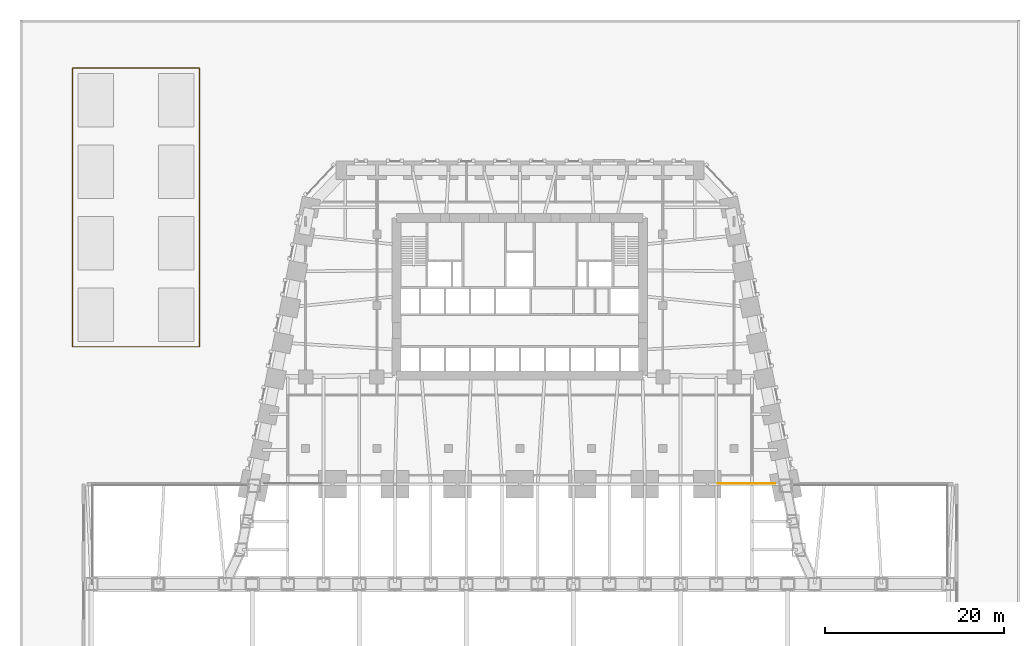
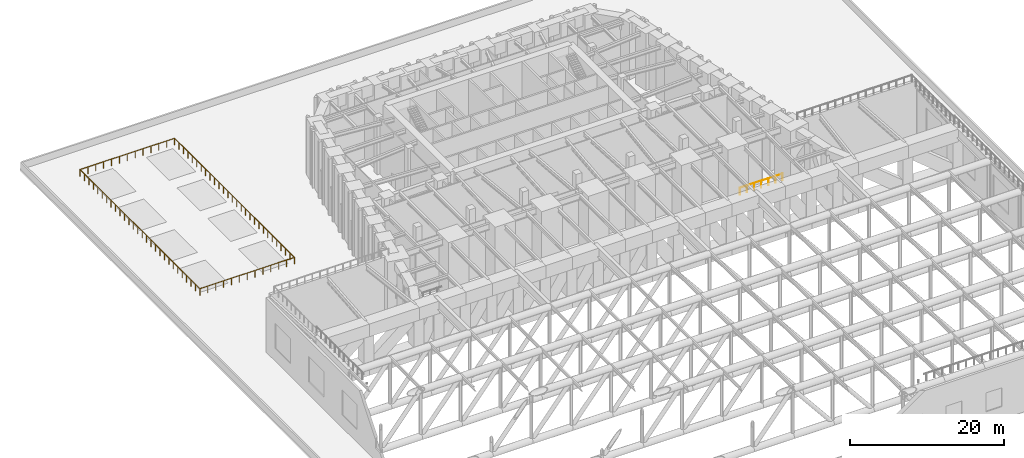
# One storey, part 19 of 20: 2 railings.
"""IFC4 building model written with IfcOpenShell, lengths in metres."""

from ifc_helpers import new_model, si_unit, direction, frame, origin, origin_2d, place, context, subcontext, project, spatial, circle, extrude, material, type_object, element, save


model = new_model("IFC4")

# Units and contexts
model_context = context("Model", 3, precision=1e-05, world=origin(), true_north=direction((0.0, 1.0)))
body_context = subcontext(model_context, "Body", "Model", "MODEL_VIEW")
ifc_project = project(units=[si_unit("LENGTHUNIT", "METRE"), si_unit("AREAUNIT", "SQUARE_METRE"), si_unit("VOLUMEUNIT", "CUBIC_METRE"), si_unit("PLANEANGLEUNIT", "RADIAN"), si_unit("MASSUNIT", "GRAM", prefix="KILO")], contexts=[model_context])

# Site, building, storey
site_placement = place(None, origin())
site = spatial("IfcSite", under=ifc_project, at=site_placement, CompositionType="ELEMENT")
building_placement = place(site_placement, origin())
building = spatial("IfcBuilding", under=site, at=building_placement, Name="Isbrekke Arena Tower", CompositionType="ELEMENT")
storey_placement = place(building_placement, frame((0.0, 0.0, 19.0)))
storey = spatial("IfcBuildingStorey", under=building, at=storey_placement, Name="L03", CompositionType="ELEMENT", Elevation=19.0)

# Railings
ifc_material_1 = material(Name="Galvanised steel guard", Category="steel")
railing_type_1 = type_object("IfcRailingType", Name="GR2 TERRACE GUARD 1100", PredefinedType="GUARDRAIL", material=ifc_material_1)
railing_1_placement = place(storey_placement, frame((22.199951171875, -5.89990234375, 0.0)))
element("IfcRailing", 1, at=railing_1_placement, inside=storey, type_object=railing_type_1, Name="GR2 plant deck edge guard E L03", PredefinedType="GUARDRAIL", context=body_context, shape_type="SweptSolid", body=[
    extrude(circle(Radius=0.02392578125, at=origin_2d()), frame((0.0, 0.0, 1.076171875), z_axis=(1.0, 0.0, 0.0), x_axis=(0.0, 1.0, 0.0)), (0.0, 0.0, 1.0), 6.39013671875),
    extrude(circle(Radius=0.02099609375, at=origin_2d()), origin(), (0.0, 0.0, 1.0), 1.052001953125),
    extrude(circle(Radius=0.02099609375, at=origin_2d()), frame((1.06494140625, 0.0, 0.0)), (0.0, 0.0, 1.0), 1.052001953125),
    extrude(circle(Radius=0.02099609375, at=origin_2d()), frame((2.130126953125, 0.0, 0.0)), (0.0, 0.0, 1.0), 1.052001953125),
    extrude(circle(Radius=0.02099609375, at=origin_2d()), frame((3.195068359375, 0.0, 0.0)), (0.0, 0.0, 1.0), 1.052001953125),
    extrude(circle(Radius=0.02099609375, at=origin_2d()), frame((4.260009765625, 0.0, 0.0)), (0.0, 0.0, 1.0), 1.052001953125),
    extrude(circle(Radius=0.02099609375, at=origin_2d()), frame((5.3251953125, 0.0, 0.0)), (0.0, 0.0, 1.0), 1.052001953125),
    extrude(circle(Radius=0.02099609375, at=origin_2d()), frame((6.39013671875, 0.0, 0.0)), (0.0, 0.0, 1.0), 1.052001953125),
])
ifc_material_2 = material(Name="Galvanised steel guard, maintenance roof", Category="steel")
railing_type_2 = type_object("IfcRailingType", Name="GR4 ROOF EDGE GUARD 1100", PredefinedType="GUARDRAIL", material=ifc_material_2)
railing_2_placement = place(storey_placement, frame((-50.10009765625, 9.39990234375, 0.0)))
element("IfcRailing", 2, at=railing_2_placement, inside=storey, type_object=railing_type_2, Name="GR4 podium rooflight guard, maintenance access only", PredefinedType="GUARDRAIL", context=body_context, shape_type="SweptSolid", body=[
    extrude(circle(Radius=0.02392578125, at=origin_2d()), frame((0.0, 0.0, 1.076171875), z_axis=(1.0, 0.0, 0.0), x_axis=(0.0, 1.0, 0.0)), (0.0, 0.0, 1.0), 14.2001953125),
    extrude(circle(Radius=0.02392578125, at=origin_2d()), frame((14.2001953125, 0.0, 1.076171875), z_axis=(0.0, 1.0, 0.0), x_axis=(-1.0, 0.0, 0.0)), (0.0, 0.0, 1.0), 31.2001953125),
    extrude(circle(Radius=0.02392578125, at=origin_2d()), frame((14.2001953125, 31.2001953125, 1.076171875), z_axis=(-1.0, 0.0, 0.0), x_axis=(0.0, -1.0, 0.0)), (0.0, 0.0, 1.0), 14.2001953125),
    extrude(circle(Radius=0.02392578125, at=origin_2d()), frame((0.0, 31.2001953125, 1.076171875), z_axis=(0.0, -1.0, 0.0), x_axis=(1.0, 0.0, 0.0)), (0.0, 0.0, 1.0), 31.2001953125),
    extrude(circle(Radius=0.02099609375, at=origin_2d()), origin(), (0.0, 0.0, 1.0), 1.052001953125),
    extrude(circle(Radius=0.02099609375, at=origin_2d()), frame((1.183349609375, 0.0, 0.0)), (0.0, 0.0, 1.0), 1.052001953125),
    extrude(circle(Radius=0.02099609375, at=origin_2d()), frame((2.36669921875, 0.0, 0.0)), (0.0, 0.0, 1.0), 1.052001953125),
    extrude(circle(Radius=0.02099609375, at=origin_2d()), frame((3.550048828125, 0.0, 0.0)), (0.0, 0.0, 1.0), 1.052001953125),
    extrude(circle(Radius=0.02099609375, at=origin_2d()), frame((4.7333984375, 0.0, 0.0)), (0.0, 0.0, 1.0), 1.052001953125),
    extrude(circle(Radius=0.02099609375, at=origin_2d()), frame((5.916748046875, 0.0, 0.0)), (0.0, 0.0, 1.0), 1.052001953125),
    extrude(circle(Radius=0.02099609375, at=origin_2d()), frame((7.10009765625, 0.0, 0.0)), (0.0, 0.0, 1.0), 1.052001953125),
    extrude(circle(Radius=0.02099609375, at=origin_2d()), frame((8.283447265625, 0.0, 0.0)), (0.0, 0.0, 1.0), 1.052001953125),
    extrude(circle(Radius=0.02099609375, at=origin_2d()), frame((9.466796875, 0.0, 0.0)), (0.0, 0.0, 1.0), 1.052001953125),
    extrude(circle(Radius=0.02099609375, at=origin_2d()), frame((10.650146484375, 0.0, 0.0)), (0.0, 0.0, 1.0), 1.052001953125),
    extrude(circle(Radius=0.02099609375, at=origin_2d()), frame((11.83349609375, 0.0, 0.0)), (0.0, 0.0, 1.0), 1.052001953125),
    extrude(circle(Radius=0.02099609375, at=origin_2d()), frame((13.016845703125, 0.0, 0.0)), (0.0, 0.0, 1.0), 1.052001953125),
    extrude(circle(Radius=0.02099609375, at=origin_2d()), frame((14.2001953125, 0.0, 0.0)), (0.0, 0.0, 1.0), 1.052001953125),
    extrude(circle(Radius=0.02099609375, at=origin_2d()), frame((14.2001953125, 1.155517578125, 0.0)), (0.0, 0.0, 1.0), 1.052001953125),
    extrude(circle(Radius=0.02099609375, at=origin_2d()), frame((14.2001953125, 2.31103515625, 0.0)), (0.0, 0.0, 1.0), 1.052001953125),
    extrude(circle(Radius=0.02099609375, at=origin_2d()), frame((14.2001953125, 3.466796875, 0.0)), (0.0, 0.0, 1.0), 1.052001953125),
    extrude(circle(Radius=0.02099609375, at=origin_2d()), frame((14.2001953125, 4.622314453125, 0.0)), (0.0, 0.0, 1.0), 1.052001953125),
    extrude(circle(Radius=0.02099609375, at=origin_2d()), frame((14.2001953125, 5.77783203125, 0.0)), (0.0, 0.0, 1.0), 1.052001953125),
    extrude(circle(Radius=0.02099609375, at=origin_2d()), frame((14.2001953125, 6.933349609375, 0.0)), (0.0, 0.0, 1.0), 1.052001953125),
    extrude(circle(Radius=0.02099609375, at=origin_2d()), frame((14.2001953125, 8.0888671875, 0.0)), (0.0, 0.0, 1.0), 1.052001953125),
    extrude(circle(Radius=0.02099609375, at=origin_2d()), frame((14.2001953125, 9.244384765625, 0.0)), (0.0, 0.0, 1.0), 1.052001953125),
    extrude(circle(Radius=0.02099609375, at=origin_2d()), frame((14.2001953125, 10.400146484375, 0.0)), (0.0, 0.0, 1.0), 1.052001953125),
    extrude(circle(Radius=0.02099609375, at=origin_2d()), frame((14.2001953125, 11.5556640625, 0.0)), (0.0, 0.0, 1.0), 1.052001953125),
    extrude(circle(Radius=0.02099609375, at=origin_2d()), frame((14.2001953125, 12.711181640625, 0.0)), (0.0, 0.0, 1.0), 1.052001953125),
    extrude(circle(Radius=0.02099609375, at=origin_2d()), frame((14.2001953125, 13.86669921875, 0.0)), (0.0, 0.0, 1.0), 1.052001953125),
    extrude(circle(Radius=0.02099609375, at=origin_2d()), frame((14.2001953125, 15.022216796875, 0.0)), (0.0, 0.0, 1.0), 1.052001953125),
    extrude(circle(Radius=0.02099609375, at=origin_2d()), frame((14.2001953125, 16.177978515625, 0.0)), (0.0, 0.0, 1.0), 1.052001953125),
    extrude(circle(Radius=0.02099609375, at=origin_2d()), frame((14.2001953125, 17.33349609375, 0.0)), (0.0, 0.0, 1.0), 1.052001953125),
    extrude(circle(Radius=0.02099609375, at=origin_2d()), frame((14.2001953125, 18.489013671875, 0.0)), (0.0, 0.0, 1.0), 1.052001953125),
    extrude(circle(Radius=0.02099609375, at=origin_2d()), frame((14.2001953125, 19.64453125, 0.0)), (0.0, 0.0, 1.0), 1.052001953125),
    extrude(circle(Radius=0.02099609375, at=origin_2d()), frame((14.2001953125, 20.800048828125, 0.0)), (0.0, 0.0, 1.0), 1.052001953125),
    extrude(circle(Radius=0.02099609375, at=origin_2d()), frame((14.2001953125, 21.955810546875, 0.0)), (0.0, 0.0, 1.0), 1.052001953125),
    extrude(circle(Radius=0.02099609375, at=origin_2d()), frame((14.2001953125, 23.111328125, 0.0)), (0.0, 0.0, 1.0), 1.052001953125),
    extrude(circle(Radius=0.02099609375, at=origin_2d()), frame((14.2001953125, 24.266845703125, 0.0)), (0.0, 0.0, 1.0), 1.052001953125),
    extrude(circle(Radius=0.02099609375, at=origin_2d()), frame((14.2001953125, 25.42236328125, 0.0)), (0.0, 0.0, 1.0), 1.052001953125),
    extrude(circle(Radius=0.02099609375, at=origin_2d()), frame((14.2001953125, 26.577880859375, 0.0)), (0.0, 0.0, 1.0), 1.052001953125),
    extrude(circle(Radius=0.02099609375, at=origin_2d()), frame((14.2001953125, 27.7333984375, 0.0)), (0.0, 0.0, 1.0), 1.052001953125),
    extrude(circle(Radius=0.02099609375, at=origin_2d()), frame((14.2001953125, 28.88916015625, 0.0)), (0.0, 0.0, 1.0), 1.052001953125),
    extrude(circle(Radius=0.02099609375, at=origin_2d()), frame((14.2001953125, 30.044677734375, 0.0)), (0.0, 0.0, 1.0), 1.052001953125),
    extrude(circle(Radius=0.02099609375, at=origin_2d()), frame((14.2001953125, 31.2001953125, 0.0)), (0.0, 0.0, 1.0), 1.052001953125),
    extrude(circle(Radius=0.02099609375, at=origin_2d()), frame((13.016845703125, 31.2001953125, 0.0)), (0.0, 0.0, 1.0), 1.052001953125),
    extrude(circle(Radius=0.02099609375, at=origin_2d()), frame((11.83349609375, 31.2001953125, 0.0)), (0.0, 0.0, 1.0), 1.052001953125),
    extrude(circle(Radius=0.02099609375, at=origin_2d()), frame((10.650146484375, 31.2001953125, 0.0)), (0.0, 0.0, 1.0), 1.052001953125),
    extrude(circle(Radius=0.02099609375, at=origin_2d()), frame((9.466796875, 31.2001953125, 0.0)), (0.0, 0.0, 1.0), 1.052001953125),
    extrude(circle(Radius=0.02099609375, at=origin_2d()), frame((8.283447265625, 31.2001953125, 0.0)), (0.0, 0.0, 1.0), 1.052001953125),
    extrude(circle(Radius=0.02099609375, at=origin_2d()), frame((7.10009765625, 31.2001953125, 0.0)), (0.0, 0.0, 1.0), 1.052001953125),
    extrude(circle(Radius=0.02099609375, at=origin_2d()), frame((5.916748046875, 31.2001953125, 0.0)), (0.0, 0.0, 1.0), 1.052001953125),
    extrude(circle(Radius=0.02099609375, at=origin_2d()), frame((4.7333984375, 31.2001953125, 0.0)), (0.0, 0.0, 1.0), 1.052001953125),
    extrude(circle(Radius=0.02099609375, at=origin_2d()), frame((3.550048828125, 31.2001953125, 0.0)), (0.0, 0.0, 1.0), 1.052001953125),
    extrude(circle(Radius=0.02099609375, at=origin_2d()), frame((2.36669921875, 31.2001953125, 0.0)), (0.0, 0.0, 1.0), 1.052001953125),
    extrude(circle(Radius=0.02099609375, at=origin_2d()), frame((1.183349609375, 31.2001953125, 0.0)), (0.0, 0.0, 1.0), 1.052001953125),
    extrude(circle(Radius=0.02099609375, at=origin_2d()), frame((0.0, 31.2001953125, 0.0)), (0.0, 0.0, 1.0), 1.052001953125),
    extrude(circle(Radius=0.02099609375, at=origin_2d()), frame((0.0, 30.044677734375, 0.0)), (0.0, 0.0, 1.0), 1.052001953125),
    extrude(circle(Radius=0.02099609375, at=origin_2d()), frame((0.0, 28.88916015625, 0.0)), (0.0, 0.0, 1.0), 1.052001953125),
    extrude(circle(Radius=0.02099609375, at=origin_2d()), frame((0.0, 27.7333984375, 0.0)), (0.0, 0.0, 1.0), 1.052001953125),
    extrude(circle(Radius=0.02099609375, at=origin_2d()), frame((0.0, 26.577880859375, 0.0)), (0.0, 0.0, 1.0), 1.052001953125),
    extrude(circle(Radius=0.02099609375, at=origin_2d()), frame((0.0, 25.42236328125, 0.0)), (0.0, 0.0, 1.0), 1.052001953125),
    extrude(circle(Radius=0.02099609375, at=origin_2d()), frame((0.0, 24.266845703125, 0.0)), (0.0, 0.0, 1.0), 1.052001953125),
    extrude(circle(Radius=0.02099609375, at=origin_2d()), frame((0.0, 23.111328125, 0.0)), (0.0, 0.0, 1.0), 1.052001953125),
    extrude(circle(Radius=0.02099609375, at=origin_2d()), frame((0.0, 21.955810546875, 0.0)), (0.0, 0.0, 1.0), 1.052001953125),
    extrude(circle(Radius=0.02099609375, at=origin_2d()), frame((0.0, 20.800048828125, 0.0)), (0.0, 0.0, 1.0), 1.052001953125),
    extrude(circle(Radius=0.02099609375, at=origin_2d()), frame((0.0, 19.64453125, 0.0)), (0.0, 0.0, 1.0), 1.052001953125),
    extrude(circle(Radius=0.02099609375, at=origin_2d()), frame((0.0, 18.489013671875, 0.0)), (0.0, 0.0, 1.0), 1.052001953125),
    extrude(circle(Radius=0.02099609375, at=origin_2d()), frame((0.0, 17.33349609375, 0.0)), (0.0, 0.0, 1.0), 1.052001953125),
    extrude(circle(Radius=0.02099609375, at=origin_2d()), frame((0.0, 16.177978515625, 0.0)), (0.0, 0.0, 1.0), 1.052001953125),
    extrude(circle(Radius=0.02099609375, at=origin_2d()), frame((0.0, 15.022216796875, 0.0)), (0.0, 0.0, 1.0), 1.052001953125),
    extrude(circle(Radius=0.02099609375, at=origin_2d()), frame((0.0, 13.86669921875, 0.0)), (0.0, 0.0, 1.0), 1.052001953125),
    extrude(circle(Radius=0.02099609375, at=origin_2d()), frame((0.0, 12.711181640625, 0.0)), (0.0, 0.0, 1.0), 1.052001953125),
    extrude(circle(Radius=0.02099609375, at=origin_2d()), frame((0.0, 11.5556640625, 0.0)), (0.0, 0.0, 1.0), 1.052001953125),
    extrude(circle(Radius=0.02099609375, at=origin_2d()), frame((0.0, 10.400146484375, 0.0)), (0.0, 0.0, 1.0), 1.052001953125),
    extrude(circle(Radius=0.02099609375, at=origin_2d()), frame((0.0, 9.244384765625, 0.0)), (0.0, 0.0, 1.0), 1.052001953125),
    extrude(circle(Radius=0.02099609375, at=origin_2d()), frame((0.0, 8.0888671875, 0.0)), (0.0, 0.0, 1.0), 1.052001953125),
    extrude(circle(Radius=0.02099609375, at=origin_2d()), frame((0.0, 6.933349609375, 0.0)), (0.0, 0.0, 1.0), 1.052001953125),
    extrude(circle(Radius=0.02099609375, at=origin_2d()), frame((0.0, 5.77783203125, 0.0)), (0.0, 0.0, 1.0), 1.052001953125),
    extrude(circle(Radius=0.02099609375, at=origin_2d()), frame((0.0, 4.622314453125, 0.0)), (0.0, 0.0, 1.0), 1.052001953125),
    extrude(circle(Radius=0.02099609375, at=origin_2d()), frame((0.0, 3.466796875, 0.0)), (0.0, 0.0, 1.0), 1.052001953125),
    extrude(circle(Radius=0.02099609375, at=origin_2d()), frame((0.0, 2.31103515625, 0.0)), (0.0, 0.0, 1.0), 1.052001953125),
    extrude(circle(Radius=0.02099609375, at=origin_2d()), frame((0.0, 1.155517578125, 0.0)), (0.0, 0.0, 1.0), 1.052001953125),
])

save(model, "model.ifc")
